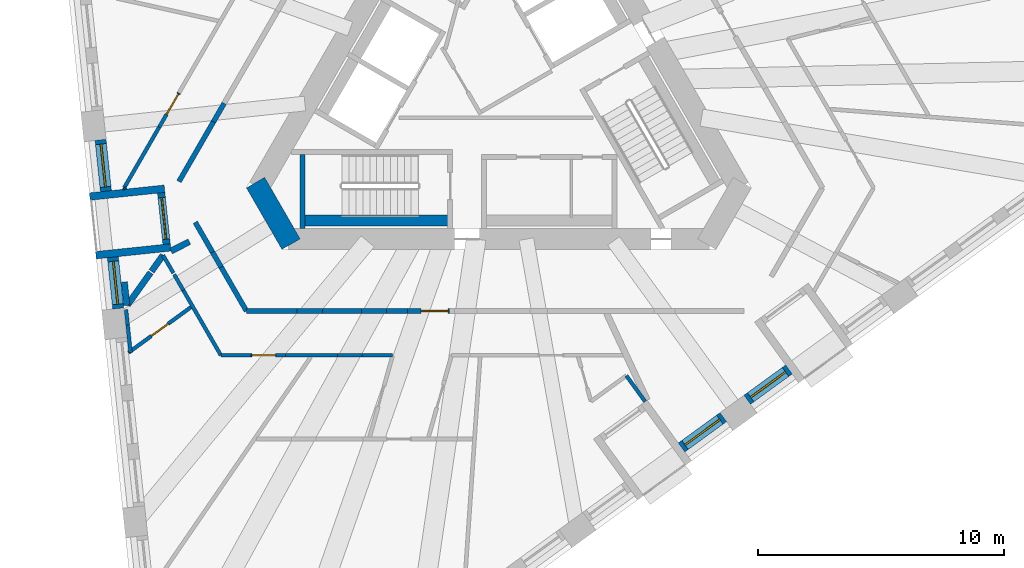
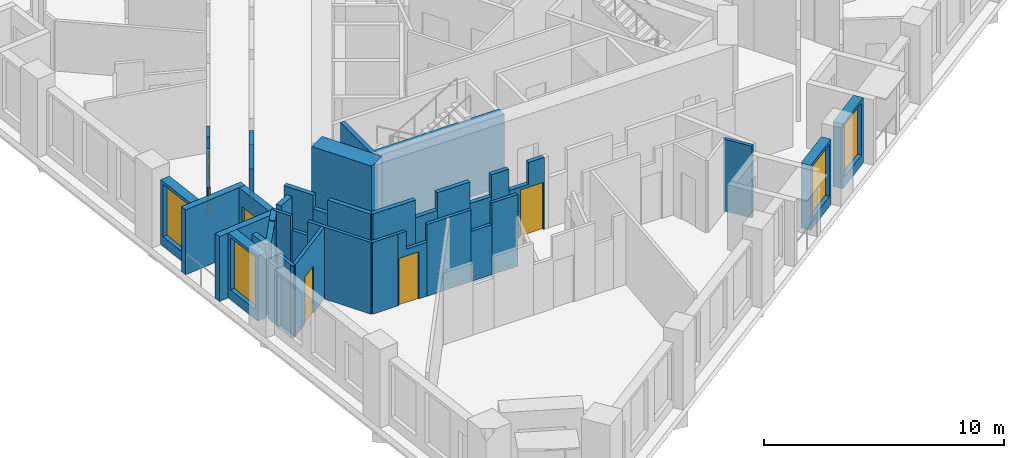
# One storey, part 3 of 14: 40 walls, 5 doors, 4 windows, 9 openings.
"""IFC4 building model written with IfcOpenShell, lengths in metres."""

from ifc_helpers import new_model, si_unit, direction, frame, frame_2d, origin, place, context, subcontext, project, spatial, polyline, rectangle, outline, extrude, material, layer, layer_set, type_object, element, fill, save


model = new_model("IFC4")

# Units and contexts
model_context = context("Model", 3, precision=1e-05, world=origin(), true_north=direction((0.0, 1.0)))
body_context = subcontext(model_context, "Body", "Model", "MODEL_VIEW")
ifc_project = project(units=[si_unit("LENGTHUNIT", "METRE"), si_unit("AREAUNIT", "SQUARE_METRE"), si_unit("VOLUMEUNIT", "CUBIC_METRE"), si_unit("PLANEANGLEUNIT", "RADIAN"), si_unit("MASSUNIT", "GRAM", prefix="KILO")], contexts=[model_context])

# Site, building, storey
site_placement = place(None, origin())
site = spatial("IfcSite", under=ifc_project, at=site_placement, CompositionType="ELEMENT")
building_placement = place(site_placement, origin())
building = spatial("IfcBuilding", under=site, at=building_placement, Name="Tramontana Tower", CompositionType="ELEMENT")
storey_placement = place(building_placement, frame((0.0, 0.0, 174.800048828125)))
storey = spatial("IfcBuildingStorey", under=building, at=storey_placement, Name="L40", CompositionType="ELEMENT", Elevation=174.800048828125)

# Wall
ifc_material_1 = material(Name="Concrete 70 MPa", Category="concrete")
ifc_layer_1 = layer(ifc_material_1, 0.85009765625)
ifc_layer_set_1 = layer_set([ifc_layer_1], Name="Core wall 850 70 MPa")
wall_type_1 = type_object("IfcWallType", Name="Core wall 850 70 MPa", PredefinedType="SHEAR", material=ifc_layer_set_1)
wall_1_placement = place(storey_placement, frame((-9.8798828125, -4.03759765625, 0.0), z_axis=(0.0, 0.0, 1.0), x_axis=(0.499995765644, -0.866027848477, 0.0)))
element("IfcWall", 1, at=wall_1_placement, inside=storey, type_object=wall_type_1, Name="Core wall C2 L40", PredefinedType="SHEAR", context=body_context, shape_type="SweptSolid", body=[
    extrude(rectangle(XDim=2.88671875, YDim=0.85009765625, at=frame_2d((1.443359375, 0.0))), origin(), (0.0, 0.0, 1.0), 4.0),
])

# Wall, opening, door
ifc_material_2 = material(Name="Blockwork", Category="masonry")
ifc_layer_2 = layer(ifc_material_2, 0.199951171875)
ifc_layer_set_2 = layer_set([ifc_layer_2], Name="ENTRY WALL 200")
wall_type_2 = type_object("IfcWallType", Name="ENTRY WALL 200", PredefinedType="SOLIDWALL", material=ifc_layer_set_2)
wall_2_placement = place(storey_placement, frame((-2.009033203125, -9.25, 0.0), z_axis=(0.0, 0.0, 1.0), x_axis=(-1.0, 0.0, 0.0)))
wall_2 = element("IfcWall", 2, at=wall_2_placement, inside=storey, type_object=wall_type_2, Name="Wall v41-ew2-7", PredefinedType="SOLIDWALL", context=body_context, shape_type="SweptSolid", body=[
    extrude(outline(polyline([(0.0, 0.0), (1.7041015625, 0.0), (1.7041015625, 2.550048828125), (0.750732421875, 2.550048828125), (0.750732421875, 3.64990234375), (0.0, 3.64990234375), (0.0, 0.0)])), frame((0.0, 0.10009765625, 0.0), z_axis=(0.0, -1.0, 0.0), x_axis=(1.0, 0.0, 0.0)), (0.0, 0.0, 1.0), 0.199951171875),
])
opening_1_placement = place(wall_2_placement, frame((0.050048828125, 0.0, 0.0)))
opening_1 = element("IfcOpeningElement", 3, at=opening_1_placement, cuts=wall_2, Name="Opening B4B-25", PredefinedType="OPENING", context=body_context, shape_type="SweptSolid", body=[
    extrude(rectangle(XDim=1.10009765625, YDim=2.39990234375, at=frame_2d((0.550048828125, 1.199951171875))), frame((0.0, 0.10986328125, 0.0), z_axis=(0.0, -1.0, 0.0), x_axis=(1.0, 0.0, 0.0)), (0.0, 0.0, 1.0), 0.219970703125),
])
ifc_material_3 = material(Name="Painted timber", Category="wood")
door_type_1 = type_object("IfcDoorType", Name="DOOR ENTRY 1100", OperationType="SINGLE_SWING_LEFT", PredefinedType="DOOR", material=ifc_material_3)
door_1_placement = place(opening_1_placement, origin())
door_1 = element("IfcDoor", 4, at=door_1_placement, inside=storey, type_object=door_type_1, Name="Door B4B-25", OperationType="SINGLE_SWING_LEFT", OverallHeight=2.39990234375, OverallWidth=1.10009765625, PredefinedType="DOOR", context=body_context, shape_type="SweptSolid", body=[
    extrude(rectangle(XDim=1.10009765625, YDim=2.39990234375, at=frame_2d((0.550048828125, 1.199951171875))), frame((0.0, 0.02490234375, 0.0), z_axis=(0.0, -1.0, 0.0), x_axis=(1.0, 0.0, 0.0)), (0.0, 0.0, 1.0), 0.050048828125),
])
fill(opening_1, door_1)

# Walls
wall_3_placement = place(storey_placement, frame((-3.713134765625, -9.25, 0.0), z_axis=(0.0, 0.0, 1.0), x_axis=(-1.0, 0.0, 0.0)))
element("IfcWall", 5, at=wall_3_placement, inside=storey, type_object=wall_type_2, Name="Wall v41-ew2-8", PredefinedType="SOLIDWALL", context=body_context, shape_type="SweptSolid", body=[
    extrude(rectangle(XDim=0.84130859375, YDim=0.199951171875, at=frame_2d((0.420654296875, 0.0))), origin(), (0.0, 0.0, 1.0), 3.64990234375),
])
wall_4_placement = place(storey_placement, frame((-4.554443359375, -9.25, 0.0), z_axis=(0.0, 0.0, 1.0), x_axis=(-1.0, 0.0, 0.0)))
element("IfcWall", 6, at=wall_4_placement, inside=storey, type_object=wall_type_2, Name="Wall v41-ew2-9", PredefinedType="SOLIDWALL", context=body_context, shape_type="SweptSolid", body=[
    extrude(rectangle(XDim=1.026123046875, YDim=0.199951171875, at=frame_2d((0.51318359375, 0.0))), origin(), (0.0, 0.0, 1.0), 2.550048828125),
])
wall_5_placement = place(storey_placement, frame((-5.58056640625, -9.25, 0.0), z_axis=(0.0, 0.0, 1.0), x_axis=(-1.0, 0.0, 0.0)))
element("IfcWall", 7, at=wall_5_placement, inside=storey, type_object=wall_type_2, Name="Wall v41-ew2-10", PredefinedType="SOLIDWALL", context=body_context, shape_type="SweptSolid", body=[
    extrude(rectangle(XDim=1.57177734375, YDim=0.199951171875, at=frame_2d((0.785888671875, 0.0))), origin(), (0.0, 0.0, 1.0), 3.64990234375),
])
wall_6_placement = place(storey_placement, frame((-7.15234375, -9.25, 0.0), z_axis=(0.0, 0.0, 1.0), x_axis=(-1.0, 0.0, 0.0)))
element("IfcWall", 8, at=wall_6_placement, inside=storey, type_object=wall_type_2, Name="Wall v41-ew2-11", PredefinedType="SOLIDWALL", context=body_context, shape_type="SweptSolid", body=[
    extrude(rectangle(XDim=1.039306640625, YDim=0.199951171875, at=frame_2d((0.51953125, 0.0))), origin(), (0.0, 0.0, 1.0), 2.75),
])
wall_7_placement = place(storey_placement, frame((-8.191650390625, -9.25, 0.0), z_axis=(0.0, 0.0, 1.0), x_axis=(-1.0, 0.0, 0.0)))
element("IfcWall", 9, at=wall_7_placement, inside=storey, type_object=wall_type_2, Name="Wall v41-ew2-12", PredefinedType="SOLIDWALL", context=body_context, shape_type="SweptSolid", body=[
    extrude(rectangle(XDim=2.056396484375, YDim=0.199951171875, at=frame_2d((1.0283203125, 0.0))), origin(), (0.0, 0.0, 1.0), 3.64990234375),
])
wall_8_placement = place(storey_placement, frame((-10.248046875, -9.25, 0.0), z_axis=(0.0, 0.0, 1.0), x_axis=(-0.499941542975, 0.866059151333, 0.0)))
element("IfcWall", 10, at=wall_8_placement, inside=storey, type_object=wall_type_2, Name="Wall v41-ew3-0", PredefinedType="SOLIDWALL", context=body_context, shape_type="SweptSolid", body=[
    extrude(rectangle(XDim=2.057861328125, YDim=0.199951171875, at=frame_2d((1.02880859375, 0.0))), origin(), (0.0, 0.0, 1.0), 3.64990234375),
])
wall_9_placement = place(storey_placement, frame((-11.27685546875, -7.4677734375, 0.0), z_axis=(0.0, 0.0, 1.0), x_axis=(-0.50022532796, 0.865895271535, 0.0)))
element("IfcWall", 11, at=wall_9_placement, inside=storey, type_object=wall_type_2, Name="Wall v41-ew3-1", PredefinedType="SOLIDWALL", context=body_context, shape_type="SweptSolid", body=[
    extrude(rectangle(XDim=0.700439453125, YDim=0.199951171875, at=frame_2d((0.35009765625, 0.0))), origin(), (0.0, 0.0, 1.0), 2.949951171875),
])
wall_10_placement = place(storey_placement, frame((-11.627197265625, -6.861328125, 0.0), z_axis=(0.0, 0.0, 1.0), x_axis=(-0.49998411664, 0.866034573852, 0.0)))
element("IfcWall", 12, at=wall_10_placement, inside=storey, type_object=wall_type_2, Name="Wall v41-ew3-2", PredefinedType="SOLIDWALL", context=body_context, shape_type="SweptSolid", body=[
    extrude(rectangle(XDim=1.39990234375, YDim=0.199951171875, at=frame_2d((0.699951171875, 0.0))), origin(), (0.0, 0.0, 1.0), 3.64990234375),
])
wall_11_placement = place(storey_placement, frame((-12.986572265625, -3.993408203125, 0.0), z_axis=(0.0, 0.0, 1.0), x_axis=(0.499976698542, 0.86603885647, 0.0)))
element("IfcWall", 13, at=wall_11_placement, inside=storey, type_object=wall_type_2, Name="Wall v41-ew4-0", PredefinedType="SOLIDWALL", context=body_context, shape_type="SweptSolid", body=[
    extrude(rectangle(XDim=2.798583984375, YDim=0.199951171875, at=frame_2d((1.3994140625, 0.0))), origin(), (0.0, 0.0, 1.0), 3.64990234375),
])
wall_12_placement = place(storey_placement, frame((-11.58740234375, -1.56982421875, 0.0), z_axis=(0.0, 0.0, 1.0), x_axis=(0.500023708017, 0.866011715522, 0.0)))
element("IfcWall", 14, at=wall_12_placement, inside=storey, type_object=wall_type_2, Name="Wall v41-ew4-1", PredefinedType="SOLIDWALL", context=body_context, shape_type="SweptSolid", body=[
    extrude(rectangle(XDim=0.865234375, YDim=0.199951171875, at=frame_2d((0.4326171875, 0.0))), origin(), (0.0, 0.0, 1.0), 2.949951171875),
])

# Wall, opening, window
ifc_material_4 = material(Name="Precast concrete 60 MPa", Category="concrete")
ifc_layer_3 = layer(ifc_material_4, 0.449951171875)
ifc_layer_set_3 = layer_set([ifc_layer_3], Name="Precast concrete 60 MPa, 450 mm")
wall_type_3 = type_object("IfcWallType", Name="EW1 Stone-faced precast wall 450", PredefinedType="SOLIDWALL", material=ifc_layer_set_3)
wall_13_placement = place(storey_placement, frame((-16.1728515625, -2.30322265625, 0.0), z_axis=(0.0, 0.0, 1.0), x_axis=(0.104569484464, -0.994517583011, 0.0)))
wall_13 = element("IfcWall", 15, at=wall_13_placement, inside=storey, type_object=wall_type_3, Name="External wall L40 face 0 bay 4", PredefinedType="SOLIDWALL", context=body_context, shape_type="SweptSolid", body=[
    extrude(rectangle(XDim=2.09423828125, YDim=0.449951171875, at=frame_2d((1.047119140625, 0.0))), origin(), (0.0, 0.0, 1.0), 3.300048828125),
])
opening_2_placement = place(wall_13_placement, frame((0.172119140625, 0.0, 0.5)))
opening_2 = element("IfcOpeningElement", 16, at=opening_2_placement, cuts=wall_13, Name="Opening M2", PredefinedType="OPENING", context=body_context, shape_type="SweptSolid", body=[
    extrude(rectangle(XDim=1.75, YDim=2.64990234375, at=frame_2d((0.875, 1.324951171875))), frame((0.0, 0.23486328125, 0.0), z_axis=(0.0, -1.0, 0.0), x_axis=(1.0, 0.0, 0.0)), (0.0, 0.0, 1.0), 0.469970703125),
])
ifc_material_5 = material(Name="Aluminum frame, double glazing unit", Category="aluminium")
window_type = type_object("IfcWindowType", Name="M2 Window 1.75 x 2.65", PartitioningType="SINGLE_PANEL", PredefinedType="WINDOW", material=ifc_material_5)
window_1_placement = place(opening_2_placement, origin())
window_1 = element("IfcWindow", 17, at=window_1_placement, inside=storey, type_object=window_type, Name="Window M2 L40 face 0 module 10", OverallHeight=2.64990234375, OverallWidth=1.75, PartitioningType="SINGLE_PANEL", PredefinedType="WINDOW", context=body_context, shape_type="SweptSolid", body=[
    extrude(rectangle(XDim=1.75, YDim=2.64990234375, at=frame_2d((0.875, 1.324951171875))), frame((0.0, 0.030029296875, 0.0), z_axis=(0.0, -1.0, 0.0), x_axis=(1.0, 0.0, 0.0)), (0.0, 0.0, 1.0), 0.06005859375),
])
fill(opening_2, window_1)

wall_14_placement = place(storey_placement, frame((-15.67236328125, -7.0654296875, 0.0), z_axis=(0.0, 0.0, 1.0), x_axis=(0.104557362307, -0.994518857532, 0.0)))
wall_14 = element("IfcWall", 18, at=wall_14_placement, inside=storey, type_object=wall_type_3, Name="External wall L40 face 0 bay 4", PredefinedType="SOLIDWALL", context=body_context, shape_type="SweptSolid", body=[
    extrude(rectangle(XDim=2.094482421875, YDim=0.449951171875, at=frame_2d((1.04736328125, 0.0))), origin(), (0.0, 0.0, 1.0), 3.300048828125),
])
opening_3_placement = place(wall_14_placement, frame((0.172119140625, 0.0, 0.5)))
opening_3 = element("IfcOpeningElement", 19, at=opening_3_placement, cuts=wall_14, Name="Opening M2", PredefinedType="OPENING", context=body_context, shape_type="SweptSolid", body=[
    extrude(rectangle(XDim=1.75, YDim=2.64990234375, at=frame_2d((0.875, 1.324951171875))), frame((0.0, 0.23486328125, 0.0), z_axis=(0.0, -1.0, 0.0), x_axis=(1.0, 0.0, 0.0)), (0.0, 0.0, 1.0), 0.469970703125),
])
window_2_placement = place(opening_3_placement, origin())
window_2 = element("IfcWindow", 20, at=window_2_placement, inside=storey, type_object=window_type, Name="Window M2 L40 face 0 module 12", OverallHeight=2.64990234375, OverallWidth=1.75, PartitioningType="SINGLE_PANEL", PredefinedType="WINDOW", context=body_context, shape_type="SweptSolid", body=[
    extrude(rectangle(XDim=1.75, YDim=2.64990234375, at=frame_2d((0.875, 1.324951171875))), frame((0.0, 0.030029296875, 0.0), z_axis=(0.0, -1.0, 0.0), x_axis=(1.0, 0.0, 0.0)), (0.0, 0.0, 1.0), 0.06005859375),
])
fill(opening_3, window_2)

wall_15_placement = place(storey_placement, frame((7.415771484375, -14.790771484375, 0.0), z_axis=(0.0, 0.0, 1.0), x_axis=(0.809028366311, 0.587769599847, 0.0)))
wall_15 = element("IfcWall", 21, at=wall_15_placement, inside=storey, type_object=wall_type_3, Name="External wall L40 face 1 bay 3", PredefinedType="SOLIDWALL", context=body_context, shape_type="SweptSolid", body=[
    extrude(rectangle(XDim=2.09423828125, YDim=0.449951171875, at=frame_2d((1.047119140625, 0.0))), origin(), (0.0, 0.0, 1.0), 3.300048828125),
])
opening_4_placement = place(wall_15_placement, frame((0.172119140625, 0.0, 0.5)))
opening_4 = element("IfcOpeningElement", 22, at=opening_4_placement, cuts=wall_15, Name="Opening M2", PredefinedType="OPENING", context=body_context, shape_type="SweptSolid", body=[
    extrude(rectangle(XDim=1.75, YDim=2.64990234375, at=frame_2d((0.875, 1.324951171875))), frame((0.0, 0.23486328125, 0.0), z_axis=(0.0, -1.0, 0.0), x_axis=(1.0, 0.0, 0.0)), (0.0, 0.0, 1.0), 0.469970703125),
])
window_3_placement = place(opening_4_placement, origin())
window_3 = element("IfcWindow", 23, at=window_3_placement, inside=storey, type_object=window_type, Name="Window M2 L40 face 1 module 9", OverallHeight=2.64990234375, OverallWidth=1.75, PartitioningType="SINGLE_PANEL", PredefinedType="WINDOW", context=body_context, shape_type="SweptSolid", body=[
    extrude(rectangle(XDim=1.75, YDim=2.64990234375, at=frame_2d((0.875, 1.324951171875))), frame((0.0, 0.030029296875, 0.0), z_axis=(0.0, -1.0, 0.0), x_axis=(1.0, 0.0, 0.0)), (0.0, 0.0, 1.0), 0.06005859375),
])
fill(opening_4, window_3)

wall_16_placement = place(storey_placement, frame((10.0810546875, -12.8544921875, 0.0), z_axis=(0.0, 0.0, 1.0), x_axis=(0.809028366311, 0.587769599847, 0.0)))
wall_16 = element("IfcWall", 24, at=wall_16_placement, inside=storey, type_object=wall_type_3, Name="External wall L40 face 1 bay 4", PredefinedType="SOLIDWALL", context=body_context, shape_type="SweptSolid", body=[
    extrude(rectangle(XDim=2.09423828125, YDim=0.449951171875, at=frame_2d((1.047119140625, 0.0))), origin(), (0.0, 0.0, 1.0), 3.300048828125),
])
opening_5_placement = place(wall_16_placement, frame((0.172119140625, 0.0, 0.5)))
opening_5 = element("IfcOpeningElement", 25, at=opening_5_placement, cuts=wall_16, Name="Opening M2", PredefinedType="OPENING", context=body_context, shape_type="SweptSolid", body=[
    extrude(rectangle(XDim=1.75, YDim=2.64990234375, at=frame_2d((0.875, 1.324951171875))), frame((0.0, 0.23486328125, 0.0), z_axis=(0.0, -1.0, 0.0), x_axis=(1.0, 0.0, 0.0)), (0.0, 0.0, 1.0), 0.469970703125),
])
window_4_placement = place(opening_5_placement, origin())
window_4 = element("IfcWindow", 26, at=window_4_placement, inside=storey, type_object=window_type, Name="Window M2 L40 face 1 module 10", OverallHeight=2.64990234375, OverallWidth=1.75, PartitioningType="SINGLE_PANEL", PredefinedType="WINDOW", context=body_context, shape_type="SweptSolid", body=[
    extrude(rectangle(XDim=1.75, YDim=2.64990234375, at=frame_2d((0.875, 1.324951171875))), frame((0.0, 0.030029296875, 0.0), z_axis=(0.0, -1.0, 0.0), x_axis=(1.0, 0.0, 0.0)), (0.0, 0.0, 1.0), 0.06005859375),
])
fill(opening_5, window_4)

# Wall, opening, door
ifc_material_6 = material(Name="Precast concrete 60 MPa", Category="concrete")
ifc_layer_4 = layer(ifc_material_6, 0.300048828125)
ifc_layer_set_4 = layer_set([ifc_layer_4], Name="LW1 Stone-faced loggia wall 300")
wall_type_4 = type_object("IfcWallType", Name="LW1 Stone-faced loggia wall 300", PredefinedType="SOLIDWALL", material=ifc_layer_set_4)
wall_17_placement = place(storey_placement, frame((-13.709716796875, -4.45166015625, 0.0), z_axis=(0.0, 0.0, 1.0), x_axis=(0.104442071108, -0.994530971756, 0.0)))
wall_17 = element("IfcWall", 27, at=wall_17_placement, inside=storey, type_object=wall_type_4, Name="Loggia wall L40 G4S0.10", PredefinedType="SOLIDWALL", context=body_context, shape_type="SweptSolid", body=[
    extrude(rectangle(XDim=2.094482421875, YDim=0.300048828125, at=frame_2d((1.04736328125, 0.0))), origin(), (0.0, 0.0, 1.0), 3.300048828125),
])
opening_6_placement = place(wall_17_placement, frame((0.197265625, 0.0, 0.0)))
opening_6 = element("IfcOpeningElement", 28, at=opening_6_placement, cuts=wall_17, Name="Opening BD-4S0-10", PredefinedType="OPENING", context=body_context, shape_type="SweptSolid", body=[
    extrude(rectangle(XDim=1.699951171875, YDim=2.449951171875, at=frame_2d((0.85009765625, 1.22509765625))), frame((0.0, 0.159912109375, 0.0), z_axis=(0.0, -1.0, 0.0), x_axis=(1.0, 0.0, 0.0)), (0.0, 0.0, 1.0), 0.320068359375),
])
ifc_material_7 = material(Name="Aluminum frame, double glazing unit", Category="aluminium")
door_type_2 = type_object("IfcDoorType", Name="BD2 Sliding door 1.7 x 2.45", OperationType="SLIDING_TO_LEFT", PredefinedType="DOOR", material=ifc_material_7)
door_2_placement = place(opening_6_placement, origin())
door_2 = element("IfcDoor", 29, at=door_2_placement, inside=storey, type_object=door_type_2, Name="Loggia door L40 G4S0.10", OperationType="SLIDING_TO_LEFT", OverallHeight=2.449951171875, OverallWidth=1.699951171875, PredefinedType="DOOR", context=body_context, shape_type="SweptSolid", body=[
    extrude(rectangle(XDim=1.699951171875, YDim=2.449951171875, at=frame_2d((0.85009765625, 1.22509765625))), frame((0.0, 0.02490234375, 0.0), z_axis=(0.0, -1.0, 0.0), x_axis=(1.0, 0.0, 0.0)), (0.0, 0.0, 1.0), 0.050048828125),
])
fill(opening_6, door_2)

# Walls
for number, where, z_axis, x_axis, name in (
    (30, (-16.609619140625, -4.605712890625, 0.0), (0.0, 0.0, 1.0), (0.994521230707, 0.104534786906, 0.0), "Loggia return L40 G4S0.10a"),
    (31, (-16.359375, -6.98681640625, 0.0), (0.0, 0.0, 1.0), (0.994521230707, 0.104534786906, 0.0), "Loggia return L40 G4S0.10b"),
):
    element("IfcWall", number, at=place(storey_placement, frame(where, z_axis=z_axis, x_axis=x_axis)), inside=storey, type_object=wall_type_4, Name=name, PredefinedType="SOLIDWALL", context=body_context, shape_type="SweptSolid", body=[
        extrude(rectangle(XDim=3.050048828125, YDim=0.300048828125, at=frame_2d((1.52490234375, 0.0))), origin(), (0.0, 0.0, 1.0), 3.300048828125),
    ])
ifc_material_8 = material(Name="Gypsum board partition")
ifc_layer_5 = layer(ifc_material_8, 0.14990234375)
ifc_layer_set_5 = layer_set([ifc_layer_5], Name="PARTITION 150")
wall_type_5 = type_object("IfcWallType", Name="PARTITION 150", PredefinedType="PARTITIONING", material=ifc_layer_set_5)
wall_18_placement = place(storey_placement, frame((-15.213134765625, -4.25, 0.0), z_axis=(0.0, 0.0, 1.0), x_axis=(0.50001992892, 0.866013897511, 0.0)))
element("IfcWall", 32, at=wall_18_placement, inside=storey, type_object=wall_type_5, Name="Wall v41-pw02-0", PredefinedType="PARTITIONING", context=body_context, shape_type="SweptSolid", body=[
    extrude(rectangle(XDim=2.841796875, YDim=0.14990234375, at=frame_2d((1.4208984375, 0.0))), origin(), (0.0, 0.0, 1.0), 3.64990234375),
])

# Wall, opening, door
wall_19_placement = place(storey_placement, frame((-13.792236328125, -1.7890625, 0.0), z_axis=(0.0, 0.0, 1.0), x_axis=(0.500011789842, 0.866018596809, 0.0)))
wall_19 = element("IfcWall", 33, at=wall_19_placement, inside=storey, type_object=wall_type_5, Name="Wall v41-pw02-1", PredefinedType="PARTITIONING", context=body_context, shape_type="SweptSolid", body=[
    extrude(outline(polyline([(0.0, 0.0), (1.60693359375, 0.0), (1.60693359375, 3.64990234375), (0.834228515625, 3.64990234375), (0.834228515625, 2.949951171875), (0.0, 2.949951171875), (0.0, 0.0)])), frame((0.0, 0.074951171875, 0.0), z_axis=(0.0, -1.0, 0.0), x_axis=(1.0, 0.0, 0.0)), (0.0, 0.0, 1.0), 0.14990234375),
])
opening_7_placement = place(wall_19_placement, frame((0.60693359375, 0.0, 0.0)))
opening_7 = element("IfcOpeningElement", 34, at=opening_7_placement, cuts=wall_19, Name="Opening B4B-05", PredefinedType="OPENING", context=body_context, shape_type="SweptSolid", body=[
    extrude(rectangle(XDim=0.949951171875, YDim=2.39990234375, at=frame_2d((0.47509765625, 1.199951171875))), frame((0.0, 0.0849609375, 0.0), z_axis=(0.0, -1.0, 0.0), x_axis=(1.0, 0.0, 0.0)), (0.0, 0.0, 1.0), 0.169921875),
])
ifc_material_9 = material(Name="Painted timber", Category="wood")
door_type_3 = type_object("IfcDoorType", Name="DOOR ROOM 950", OperationType="SINGLE_SWING_LEFT", PredefinedType="DOOR", material=ifc_material_9)
door_3_placement = place(opening_7_placement, origin())
door_3 = element("IfcDoor", 35, at=door_3_placement, inside=storey, type_object=door_type_3, Name="Door B4B-05", OperationType="SINGLE_SWING_LEFT", OverallHeight=2.39990234375, OverallWidth=0.949951171875, PredefinedType="DOOR", context=body_context, shape_type="SweptSolid", body=[
    extrude(rectangle(XDim=0.949951171875, YDim=2.39990234375, at=frame_2d((0.47509765625, 1.199951171875))), frame((0.0, 0.02490234375, 0.0), z_axis=(0.0, -1.0, 0.0), x_axis=(1.0, 0.0, 0.0)), (0.0, 0.0, 1.0), 0.050048828125),
])
fill(opening_7, door_3)

# Walls
wall_20_placement = place(storey_placement, frame((-15.181640625, -4.3046875, 0.0), z_axis=(0.0, 0.0, 1.0), x_axis=(-0.499052486836, 0.866571760088, 0.0)))
element("IfcWall", 36, at=wall_20_placement, inside=storey, type_object=wall_type_5, Name="Wall v41-pw03", PredefinedType="PARTITIONING", context=body_context, shape_type="SweptSolid", body=[
    extrude(rectangle(XDim=0.06298828125, YDim=0.14990234375, at=frame_2d((0.031494140625, 0.0))), origin(), (0.0, 0.0, 1.0), 3.64990234375),
])
wall_21_placement = place(storey_placement, frame((-14.9541015625, -10.9326171875, 0.0), z_axis=(0.0, 0.0, 1.0), x_axis=(-0.104479119457, 0.994527080374, 0.0)))
element("IfcWall", 37, at=wall_21_placement, inside=storey, type_object=wall_type_5, Name="Wall v41-pw05-0", PredefinedType="PARTITIONING", context=body_context, shape_type="SweptSolid", body=[
    extrude(rectangle(XDim=1.1123046875, YDim=0.14990234375, at=frame_2d((0.55615234375, 0.0))), origin(), (0.0, 0.0, 1.0), 3.64990234375),
])
wall_22_placement = place(storey_placement, frame((-15.0703125, -9.826416015625, 0.0), z_axis=(0.0, 0.0, 1.0), x_axis=(-0.104785422056, 0.994494854348, 0.0)))
element("IfcWall", 38, at=wall_22_placement, inside=storey, type_object=wall_type_5, Name="Wall v41-pw05-1", PredefinedType="PARTITIONING", context=body_context, shape_type="SweptSolid", body=[
    extrude(rectangle(XDim=0.63134765625, YDim=0.14990234375, at=frame_2d((0.315673828125, 0.0))), origin(), (0.0, 0.0, 1.0), 2.949951171875),
])
wall_23_placement = place(storey_placement, frame((-13.634033203125, -6.985107421875, 0.0), z_axis=(0.0, 0.0, 1.0), x_axis=(0.500009480079, -0.866019930389, 0.0)))
element("IfcWall", 39, at=wall_23_placement, inside=storey, type_object=wall_type_5, Name="Wall v41-pw12", PredefinedType="PARTITIONING", context=body_context, shape_type="SweptSolid", body=[
    extrude(rectangle(XDim=0.83447265625, YDim=0.14990234375, at=frame_2d((0.417236328125, 0.0))), origin(), (0.0, 0.0, 1.0), 3.64990234375),
])

# Wall, opening, door
wall_24_placement = place(storey_placement, frame((-15.03857421875, -10.94140625, 0.0), z_axis=(0.0, 0.0, 1.0), x_axis=(0.808638471979, 0.588305891212, 0.0)))
wall_24 = element("IfcWall", 40, at=wall_24_placement, inside=storey, type_object=wall_type_5, Name="Wall v41-pw14", PredefinedType="PARTITIONING", context=body_context, shape_type="SweptSolid", body=[
    extrude(rectangle(XDim=3.136962890625, YDim=0.14990234375, at=frame_2d((1.568359375, 0.0))), origin(), (0.0, 0.0, 1.0), 3.64990234375),
])
opening_8_placement = place(wall_24_placement, frame((1.1435546875, 0.0, 0.0)))
opening_8 = element("IfcOpeningElement", 41, at=opening_8_placement, cuts=wall_24, Name="Opening B4B-13", PredefinedType="OPENING", context=body_context, shape_type="SweptSolid", body=[
    extrude(rectangle(XDim=0.85009765625, YDim=2.39990234375, at=frame_2d((0.425048828125, 1.199951171875))), frame((0.0, 0.0849609375, 0.0), z_axis=(0.0, -1.0, 0.0), x_axis=(1.0, 0.0, 0.0)), (0.0, 0.0, 1.0), 0.169921875),
])
ifc_material_10 = material(Name="Painted timber", Category="wood")
door_type_4 = type_object("IfcDoorType", Name="DOOR BATH 850", OperationType="SINGLE_SWING_LEFT", PredefinedType="DOOR", material=ifc_material_10)
door_4_placement = place(opening_8_placement, origin())
door_4 = element("IfcDoor", 42, at=door_4_placement, inside=storey, type_object=door_type_4, Name="Door B4B-13", OperationType="SINGLE_SWING_LEFT", OverallHeight=2.39990234375, OverallWidth=0.85009765625, PredefinedType="DOOR", context=body_context, shape_type="SweptSolid", body=[
    extrude(rectangle(XDim=0.85009765625, YDim=2.39990234375, at=frame_2d((0.425048828125, 1.199951171875))), frame((0.0, 0.02490234375, 0.0), z_axis=(0.0, -1.0, 0.0), x_axis=(1.0, 0.0, 0.0)), (0.0, 0.0, 1.0), 0.050048828125),
])
fill(opening_8, door_4)

# Walls
wall_25_placement = place(storey_placement, frame((-11.287109375, -11.050048828125, 0.0), z_axis=(0.0, 0.0, 1.0), x_axis=(-0.500018497585, 0.866014723935, 0.0)))
element("IfcWall", 43, at=wall_25_placement, inside=storey, type_object=wall_type_5, Name="Wall v41-pw17-0", PredefinedType="PARTITIONING", context=body_context, shape_type="SweptSolid", body=[
    extrude(rectangle(XDim=3.0458984375, YDim=0.14990234375, at=frame_2d((1.52294921875, 0.0))), origin(), (0.0, 0.0, 1.0), 3.64990234375),
])
wall_26_placement = place(storey_placement, frame((-12.81005859375, -8.412353515625, 0.0), z_axis=(0.0, 0.0, 1.0), x_axis=(-0.499987686533, 0.866032512851, 0.0)))
element("IfcWall", 44, at=wall_26_placement, inside=storey, type_object=wall_type_5, Name="Wall v41-pw17-1", PredefinedType="PARTITIONING", context=body_context, shape_type="SweptSolid", body=[
    extrude(rectangle(XDim=0.74365234375, YDim=0.14990234375, at=frame_2d((0.371826171875, 0.0))), origin(), (0.0, 0.0, 1.0), 2.949951171875),
])
wall_27_placement = place(storey_placement, frame((-4.3115234375, -11.050048828125, 0.0), z_axis=(0.0, 0.0, 1.0), x_axis=(-1.0, 0.0, 0.0)))
element("IfcWall", 45, at=wall_27_placement, inside=storey, type_object=wall_type_5, Name="Wall v41-pw22-0", PredefinedType="PARTITIONING", context=body_context, shape_type="SweptSolid", body=[
    extrude(rectangle(XDim=1.2431640625, YDim=0.14990234375, at=frame_2d((0.62158203125, 0.0))), origin(), (0.0, 0.0, 1.0), 3.64990234375),
])
wall_28_placement = place(storey_placement, frame((-5.5546875, -11.050048828125, 0.0), z_axis=(0.0, 0.0, 1.0), x_axis=(-1.0, 0.0, 0.0)))
element("IfcWall", 46, at=wall_28_placement, inside=storey, type_object=wall_type_5, Name="Wall v41-pw22-1", PredefinedType="PARTITIONING", context=body_context, shape_type="SweptSolid", body=[
    extrude(rectangle(XDim=0.997802734375, YDim=0.14990234375, at=frame_2d((0.4990234375, 0.0))), origin(), (0.0, 0.0, 1.0), 2.550048828125),
])
wall_29_placement = place(storey_placement, frame((-6.552490234375, -11.050048828125, 0.0), z_axis=(0.0, 0.0, 1.0), x_axis=(-1.0, 0.0, 0.0)))
element("IfcWall", 47, at=wall_29_placement, inside=storey, type_object=wall_type_5, Name="Wall v41-pw22-2", PredefinedType="PARTITIONING", context=body_context, shape_type="SweptSolid", body=[
    extrude(rectangle(XDim=2.109130859375, YDim=0.14990234375, at=frame_2d((1.0546875, 0.0))), origin(), (0.0, 0.0, 1.0), 3.64990234375),
])

# Wall, opening, door
wall_30_placement = place(storey_placement, frame((-8.66162109375, -11.050048828125, 0.0), z_axis=(0.0, 0.0, 1.0), x_axis=(-1.0, 0.0, 0.0)))
wall_30 = element("IfcWall", 48, at=wall_30_placement, inside=storey, type_object=wall_type_5, Name="Wall v41-pw22-3", PredefinedType="PARTITIONING", context=body_context, shape_type="SweptSolid", body=[
    extrude(outline(polyline([(0.0, 0.0), (1.403564453125, 0.0), (1.403564453125, 3.64990234375), (1.0068359375, 3.64990234375), (1.0068359375, 2.75), (0.0, 2.75), (0.0, 0.0)])), frame((0.0, 0.074951171875, 0.0), z_axis=(0.0, -1.0, 0.0), x_axis=(1.0, 0.0, 0.0)), (0.0, 0.0, 1.0), 0.14990234375),
])
opening_9_placement = place(wall_30_placement, frame((0.403564453125, 0.0, 0.0)))
opening_9 = element("IfcOpeningElement", 49, at=opening_9_placement, cuts=wall_30, Name="Opening B4B-11", PredefinedType="OPENING", context=body_context, shape_type="SweptSolid", body=[
    extrude(rectangle(XDim=0.949951171875, YDim=2.39990234375, at=frame_2d((0.47509765625, 1.199951171875))), frame((0.0, 0.0849609375, 0.0), z_axis=(0.0, -1.0, 0.0), x_axis=(1.0, 0.0, 0.0)), (0.0, 0.0, 1.0), 0.169921875),
])
door_5_placement = place(opening_9_placement, origin())
door_5 = element("IfcDoor", 50, at=door_5_placement, inside=storey, type_object=door_type_3, Name="Door B4B-11", OperationType="SINGLE_SWING_LEFT", OverallHeight=2.39990234375, OverallWidth=0.949951171875, PredefinedType="DOOR", context=body_context, shape_type="SweptSolid", body=[
    extrude(rectangle(XDim=0.949951171875, YDim=2.39990234375, at=frame_2d((0.47509765625, 1.199951171875))), frame((0.0, 0.02490234375, 0.0), z_axis=(0.0, -1.0, 0.0), x_axis=(1.0, 0.0, 0.0)), (0.0, 0.0, 1.0), 0.050048828125),
])
fill(opening_9, door_5)

# Walls
wall_31_placement = place(storey_placement, frame((-10.065185546875, -11.050048828125, 0.0), z_axis=(0.0, 0.0, 1.0), x_axis=(-1.0, 0.0, 0.0)))
element("IfcWall", 51, at=wall_31_placement, inside=storey, type_object=wall_type_5, Name="Wall v41-pw22-4", PredefinedType="PARTITIONING", context=body_context, shape_type="SweptSolid", body=[
    extrude(rectangle(XDim=1.221923828125, YDim=0.14990234375, at=frame_2d((0.61083984375, 0.0))), origin(), (0.0, 0.0, 1.0), 3.64990234375),
])
wall_32_placement = place(storey_placement, frame((5.939208984375, -12.927978515625, 0.0), z_axis=(0.0, 0.0, 1.0), x_axis=(-0.58792564669, 0.80891497326, 0.0)))
element("IfcWall", 52, at=wall_32_placement, inside=storey, type_object=wall_type_5, Name="Wall v41-pw37", PredefinedType="PARTITIONING", context=body_context, shape_type="SweptSolid", body=[
    extrude(rectangle(XDim=1.298095703125, YDim=0.14990234375, at=frame_2d((0.64892578125, 0.0))), origin(), (0.0, 0.0, 1.0), 3.64990234375),
])
ifc_material_11 = material(Name="Blockwork", Category="masonry")
ifc_layer_6 = layer(ifc_material_11, 0.25)
ifc_layer_set_6 = layer_set([ifc_layer_6], Name="PARTY WALL 250")
wall_type_6 = type_object("IfcWallType", Name="PARTY WALL 250", PredefinedType="SOLIDWALL", material=ifc_layer_set_6)
wall_33_placement = place(storey_placement, frame((-15.104736328125, -9.02197265625, 0.0), z_axis=(0.0, 0.0, 1.0), x_axis=(-0.104285616795, 0.994547389585, 0.0)))
element("IfcWall", 53, at=wall_33_placement, inside=storey, type_object=wall_type_6, Name="Wall v41-pw04-1", PredefinedType="SOLIDWALL", context=body_context, shape_type="SweptSolid", body=[
    extrude(rectangle(XDim=0.955078125, YDim=0.25, at=frame_2d((0.4775390625, 0.0))), origin(), (0.0, 0.0, 1.0), 3.64990234375),
])
wall_34_placement = place(storey_placement, frame((-14.141357421875, -7.695068359375, 0.0), z_axis=(0.0, 0.0, 1.0), x_axis=(-0.581108947128, -0.813825774701, 0.0)))
element("IfcWall", 54, at=wall_34_placement, inside=storey, type_object=wall_type_6, Name="Wall v41-pw06-0", PredefinedType="SOLIDWALL", context=body_context, shape_type="SweptSolid", body=[
    extrude(rectangle(XDim=1.608154296875, YDim=0.25, at=frame_2d((0.80419921875, 0.0))), origin(), (0.0, 0.0, 1.0), 3.64990234375),
])
wall_35_placement = place(storey_placement, frame((-14.100341796875, -7.63818359375, 0.0), z_axis=(0.0, 0.0, 1.0), x_axis=(0.581094288352, 0.81383624154, 0.0)))
element("IfcWall", 55, at=wall_35_placement, inside=storey, type_object=wall_type_6, Name="Wall v41-pw07", PredefinedType="SOLIDWALL", context=body_context, shape_type="SweptSolid", body=[
    extrude(rectangle(XDim=0.802490234375, YDim=0.25, at=frame_2d((0.4013671875, 0.0))), origin(), (0.0, 0.0, 1.0), 3.64990234375),
])
wall_36_placement = place(storey_placement, frame((-12.5693359375, -6.437744140625, 0.0), z_axis=(0.0, 0.0, 1.0), x_axis=(-0.890104307143, -0.455756867644, 0.0)))
element("IfcWall", 56, at=wall_36_placement, inside=storey, type_object=wall_type_6, Name="Wall v41-pw13", PredefinedType="SOLIDWALL", context=body_context, shape_type="SweptSolid", body=[
    extrude(rectangle(XDim=0.83251953125, YDim=0.25, at=frame_2d((0.416259765625, 0.0))), origin(), (0.0, 0.0, 1.0), 3.64990234375),
])
ifc_material_12 = material(Name="Concrete 70 MPa", Category="concrete")
ifc_layer_7 = layer(ifc_material_12, 0.449951171875)
ifc_layer_set_7 = layer_set([ifc_layer_7], Name="Concrete 70 MPa, 450 mm")
wall_type_7 = type_object("IfcWallType", Name="RC SHAFT BACK WALL 450", PredefinedType="SOLIDWALL", material=ifc_layer_set_7)
wall_37_placement = place(storey_placement, frame((-8.080078125, -5.574951171875, 0.0), z_axis=(0.0, 0.0, 1.0), x_axis=(1.0, 0.0, 0.0)))
element("IfcWall", 57, at=wall_37_placement, inside=storey, type_object=wall_type_7, Name="Wall st2-back", PredefinedType="SOLIDWALL", context=body_context, shape_type="SweptSolid", body=[
    extrude(rectangle(XDim=6.2001953125, YDim=0.449951171875, at=frame_2d((3.10009765625, 0.0))), origin(), (0.0, 0.0, 1.0), 3.64990234375),
])
ifc_material_13 = material(Name="Concrete 70 MPa", Category="concrete")
ifc_layer_8 = layer(ifc_material_13, 0.199951171875)
ifc_layer_set_8 = layer_set([ifc_layer_8], Name="Concrete 70 MPa, 200 mm")
wall_type_8 = type_object("IfcWallType", Name="RC STAIR AND SHAFT WALL 200", PredefinedType="SOLIDWALL", material=ifc_layer_set_8)
wall_38_placement = place(storey_placement, frame((-7.97998046875, -2.89990234375, 0.0), z_axis=(0.0, 0.0, 1.0), x_axis=(0.0, -1.0, 0.0)))
element("IfcWall", 58, at=wall_38_placement, inside=storey, type_object=wall_type_8, Name="Wall st2-far", PredefinedType="SOLIDWALL", context=body_context, shape_type="SweptSolid", body=[
    extrude(rectangle(XDim=3.0, YDim=0.199951171875, at=frame_2d((1.5, 0.0))), origin(), (0.0, 0.0, 1.0), 3.64990234375),
])

save(model, "model.ifc")
